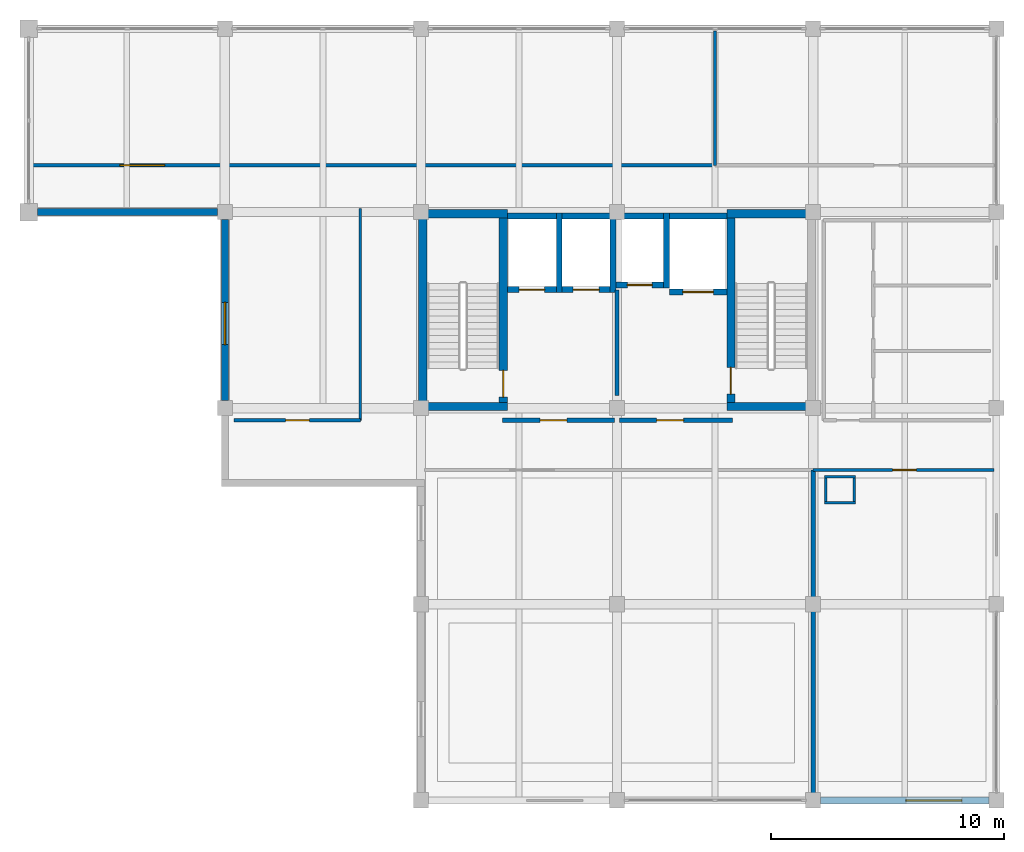
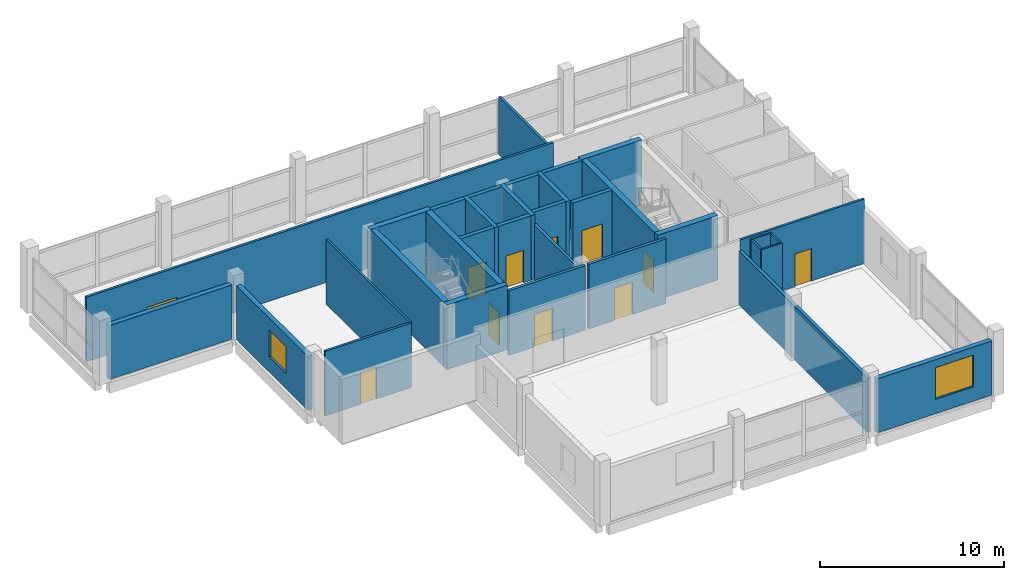
# One storey, part 7 of 9: 34 walls, 11 doors, 2 windows, 13 openings.
"""IFC4 building model written with IfcOpenShell, lengths in metres."""

from ifc_helpers import new_model, si_unit, direction, frame, frame_2d, origin, place, context, subcontext, project, spatial, rectangle, extrude, material, layer, layer_set, type_object, element, fill, save


model = new_model("IFC4")

# Units and contexts
model_context = context("Model", 3, precision=1e-05, world=origin(), true_north=direction((0.0, 1.0)))
body_context = subcontext(model_context, "Body", "Model", "MODEL_VIEW")
ifc_project = project(units=[si_unit("LENGTHUNIT", "METRE"), si_unit("AREAUNIT", "SQUARE_METRE"), si_unit("VOLUMEUNIT", "CUBIC_METRE"), si_unit("PLANEANGLEUNIT", "RADIAN"), si_unit("MASSUNIT", "GRAM", prefix="KILO")], contexts=[model_context])

# Site, building, storey
site_placement = place(None, origin())
site = spatial("IfcSite", under=ifc_project, at=site_placement, CompositionType="ELEMENT")
building_placement = place(site_placement, origin())
building = spatial("IfcBuilding", under=site, at=building_placement, Name="Brinegate Botanical Conservatory", CompositionType="ELEMENT")
storey_placement = place(building_placement, frame((0.0, 0.0, 61.199951171875)))
storey = spatial("IfcBuildingStorey", under=building, at=storey_placement, Name="L15", CompositionType="ELEMENT", Elevation=61.199951171875)

# Wall, opening, window
ifc_material_1 = material(Name="Insulated Minnan red clay brick masonry", Category="masonry")
ifc_layer_1 = layer(ifc_material_1, 0.300048828125, Name="Insulated Minnan red clay brick masonry", Category="masonry")
ifc_layer_set_1 = layer_set([ifc_layer_1], Name="Insulated Minnan red clay brick masonry")
wall_type_1 = type_object("IfcWallType", Name="Wall_EW-300B", PredefinedType="STANDARD", material=ifc_layer_set_1)
wall_1_placement = place(storey_placement, frame((163.125, 78.39990234375, 0.0), z_axis=(0.0, 0.0, 1.0), x_axis=(-1.0, 0.0, 0.0)))
wall_1 = element("IfcWall", 1, at=wall_1_placement, inside=storey, type_object=wall_type_1, Name="Tower south facade wall L15.3", PredefinedType="STANDARD", context=body_context, shape_type="SweptSolid", body=[
    extrude(rectangle(XDim=7.199951171875, YDim=0.300048828125, at=frame_2d((3.60009765625, 0.0))), origin(), (0.0, 0.0, 1.0), 3.580078125),
])
opening_1_placement = place(wall_1_placement, frame((1.14990234375, 0.0, 0.949951171875)))
opening_1 = element("IfcOpeningElement", 2, at=opening_1_placement, cuts=wall_1, Name="Opening WN-03", PredefinedType="OPENING", context=body_context, shape_type="SweptSolid", body=[
    extrude(rectangle(XDim=2.39990234375, YDim=2.10009765625, at=frame_2d((1.199951171875, 1.050048828125))), frame((0.0, 0.159912109375, 0.0), z_axis=(0.0, -1.0, 0.0), x_axis=(1.0, 0.0, 0.0)), (0.0, 0.0, 1.0), 0.320068359375),
])
ifc_material_2 = material(Name="Thermally broken aluminium-framed Low-E glass", Category="aluminium")
window_type_1 = type_object("IfcWindowType", Name="Win_WN-03", PartitioningType="TRIPLE_PANEL_VERTICAL", PredefinedType="WINDOW", material=ifc_material_2)
window_1_placement = place(opening_1_placement, origin())
window_1 = element("IfcWindow", 3, at=window_1_placement, inside=storey, type_object=window_type_1, Name="Tower south window L15.3", OverallHeight=2.10009765625, OverallWidth=2.39990234375, PartitioningType="TRIPLE_PANEL_VERTICAL", PredefinedType="WINDOW", context=body_context, shape_type="SweptSolid", body=[
    extrude(rectangle(XDim=2.39990234375, YDim=2.10009765625, at=frame_2d((1.199951171875, 1.050048828125))), frame((0.0, 0.030029296875, 0.0), z_axis=(0.0, -1.0, 0.0), x_axis=(1.0, 0.0, 0.0)), (0.0, 0.0, 1.0), 0.06005859375),
])
fill(opening_1, window_1)

wall_2_placement = place(storey_placement, frame((130.39990234375, 95.52490234375, 0.0), z_axis=(0.0, 0.0, 1.0), x_axis=(0.0, 1.0, 0.0)))
wall_2 = element("IfcWall", 4, at=wall_2_placement, inside=storey, type_object=wall_type_1, Name="Tower mid-west wall L15", PredefinedType="STANDARD", context=body_context, shape_type="SweptSolid", body=[
    extrude(rectangle(XDim=7.75, YDim=0.300048828125, at=frame_2d((3.875, 0.0))), origin(), (0.0, 0.0, 1.0), 3.580078125),
])
opening_2_placement = place(wall_2_placement, frame((2.39990234375, 0.0, 1.0)))
opening_2 = element("IfcOpeningElement", 5, at=opening_2_placement, cuts=wall_2, Name="Opening WN-05", PredefinedType="OPENING", context=body_context, shape_type="SweptSolid", body=[
    extrude(rectangle(XDim=1.800048828125, YDim=1.800048828125, at=frame_2d((0.89990234375, 0.89990234375))), frame((0.0, 0.159912109375, 0.0), z_axis=(0.0, -1.0, 0.0), x_axis=(1.0, 0.0, 0.0)), (0.0, 0.0, 1.0), 0.320068359375),
])
window_type_2 = type_object("IfcWindowType", Name="Win_WN-05", PartitioningType="DOUBLE_PANEL_VERTICAL", PredefinedType="WINDOW", material=ifc_material_2)
window_2_placement = place(opening_2_placement, origin())
window_2 = element("IfcWindow", 6, at=window_2_placement, inside=storey, type_object=window_type_2, Name="Tower mid-west window L15", OverallHeight=1.800048828125, OverallWidth=1.800048828125, PartitioningType="DOUBLE_PANEL_VERTICAL", PredefinedType="WINDOW", context=body_context, shape_type="SweptSolid", body=[
    extrude(rectangle(XDim=1.800048828125, YDim=1.800048828125, at=frame_2d((0.89990234375, 0.89990234375))), frame((0.0, 0.030029296875, 0.0), z_axis=(0.0, -1.0, 0.0), x_axis=(1.0, 0.0, 0.0)), (0.0, 0.0, 1.0), 0.06005859375),
])
fill(opening_2, window_2)

# Walls
wall_3_placement = place(storey_placement, frame((130.074951171875, 103.60009765625, 0.0), z_axis=(0.0, 0.0, 1.0), x_axis=(-1.0, 0.0, 0.0)))
element("IfcWall", 7, at=wall_3_placement, inside=storey, type_object=wall_type_1, Name="Tower west setback return wall L15", PredefinedType="STANDARD", context=body_context, shape_type="SweptSolid", body=[
    extrude(rectangle(XDim=7.699951171875, YDim=0.300048828125, at=frame_2d((3.85009765625, 0.0))), origin(), (0.0, 0.0, 1.0), 3.580078125),
])
ifc_material_3 = material(Name="Gypsum-clad steel-stud fire-rated shaft partition", Category="steel")
ifc_layer_2 = layer(ifc_material_3, 0.10498046875, Name="Gypsum-clad steel-stud fire-rated shaft partition", Category="steel")
ifc_layer_set_2 = layer_set([ifc_layer_2], Name="Gypsum-clad steel-stud fire-rated shaft partition")
wall_type_2 = type_object("IfcWallType", Name="Wall_PW-105", PredefinedType="PARTITIONING", material=ifc_layer_set_2)
for number, where, z_axis, x_axis, name in (
    (8, (156.094970703125, 91.1474609375, 0.0), (0.0, 0.0, 1.0), (1.0, 0.0, 0.0), "Service riser shaft wall L15 S"),
    (9, (156.094970703125, 92.25244140625, 0.0), (0.0, 0.0, 1.0), (1.0, 0.0, 0.0), "Service riser shaft wall L15 N"),
):
    element("IfcWall", number, at=place(storey_placement, frame(where, z_axis=z_axis, x_axis=x_axis)), inside=storey, type_object=wall_type_2, Name=name, PredefinedType="PARTITIONING", context=body_context, shape_type="SweptSolid", body=[
        extrude(rectangle(XDim=1.31005859375, YDim=0.10498046875, at=frame_2d((0.655029296875, 0.0))), origin(), (0.0, 0.0, 1.0), 4.280029296875),
    ])
for number, where, z_axis, x_axis, name in (
    (10, (156.1474609375, 91.199951171875, 0.0), (0.0, 0.0, 1.0), (0.0, 1.0, 0.0), "Service riser shaft wall L15 W"),
    (11, (157.3525390625, 91.199951171875, 0.0), (0.0, 0.0, 1.0), (0.0, 1.0, 0.0), "Service riser shaft wall L15 E"),
):
    element("IfcWall", number, at=place(storey_placement, frame(where, z_axis=z_axis, x_axis=x_axis)), inside=storey, type_object=wall_type_2, Name=name, PredefinedType="PARTITIONING", context=body_context, shape_type="SweptSolid", body=[
        extrude(rectangle(XDim=1.0, YDim=0.10498046875, at=frame_2d((0.5, 0.0))), origin(), (0.0, 0.0, 1.0), 4.280029296875),
    ])
ifc_material_4 = material(Name="Gypsum-clad steel-stud partition", Category="steel")
ifc_layer_3 = layer(ifc_material_4, 0.1201171875, Name="Gypsum-clad steel-stud partition", Category="steel")
ifc_layer_set_3 = layer_set([ifc_layer_3], Name="Gypsum-clad steel-stud partition")
wall_type_3 = type_object("IfcWallType", Name="Wall_PW-120", PredefinedType="PARTITIONING", material=ifc_layer_set_3)
wall_4_placement = place(storey_placement, frame((136.199951171875, 94.679931640625, 0.0), z_axis=(0.0, 0.0, 1.0), x_axis=(0.0, 1.0, 0.0)))
element("IfcWall", 12, at=wall_4_placement, inside=storey, type_object=wall_type_3, Name="Interior partition P-L15-XCORR-W", PredefinedType="PARTITIONING", context=body_context, shape_type="SweptSolid", body=[
    extrude(rectangle(XDim=9.070068359375, YDim=0.1201171875, at=frame_2d((4.53515625, 0.0))), origin(), (0.0, 0.0, 1.0), 4.280029296875),
])
ifc_layer_4 = layer(ifc_material_4, 0.135009765625, Name="Gypsum-clad steel-stud partition", Category="steel")
ifc_layer_set_4 = layer_set([ifc_layer_4], Name="Gypsum-clad steel-stud partition")
wall_type_4 = type_object("IfcWallType", Name="Wall_PW-135", PredefinedType="PARTITIONING", material=ifc_layer_set_4)
wall_5_placement = place(storey_placement, frame((151.39990234375, 105.60009765625, 0.0), z_axis=(0.0, 0.0, 1.0), x_axis=(0.0, 1.0, 0.0)))
element("IfcWall", 13, at=wall_5_placement, inside=storey, type_object=wall_type_4, Name="Interior partition P-L15-NDIV-N2", PredefinedType="PARTITIONING", context=body_context, shape_type="SweptSolid", body=[
    extrude(rectangle(XDim=5.75, YDim=0.135009765625, at=frame_2d((2.875, 0.0))), origin(), (0.0, 0.0, 1.0), 3.830078125),
])

# Wall, opening, door
wall_6_placement = place(storey_placement, frame((155.60009765625, 92.550048828125, 0.0), z_axis=(0.0, 0.0, 1.0), x_axis=(1.0, 0.0, 0.0)))
wall_6 = element("IfcWall", 14, at=wall_6_placement, inside=storey, type_object=wall_type_4, Name="Interior partition P-L15-SB-S2", PredefinedType="PARTITIONING", context=body_context, shape_type="SweptSolid", body=[
    extrude(rectangle(XDim=7.75, YDim=0.135009765625, at=frame_2d((3.875, 0.0))), origin(), (0.0, 0.0, 1.0), 4.280029296875),
])
opening_3_placement = place(wall_6_placement, frame((3.39990234375, 0.0, 0.0)))
opening_3 = element("IfcOpeningElement", 15, at=opening_3_placement, cuts=wall_6, Name="Opening DR-02", PredefinedType="OPENING", context=body_context, shape_type="SweptSolid", body=[
    extrude(rectangle(XDim=1.02001953125, YDim=2.14990234375, at=frame_2d((0.510009765625, 1.074951171875))), frame((0.0, 0.077392578125, 0.0), z_axis=(0.0, -1.0, 0.0), x_axis=(1.0, 0.0, 0.0)), (0.0, 0.0, 1.0), 0.155029296875),
])
ifc_material_5 = material(Name="Phenolic-faced laboratory timber leaf", Category="wood")
door_type_1 = type_object("IfcDoorType", Name="Door_DR-02", OperationType="NOTDEFINED", PredefinedType="DOOR", material=ifc_material_5)
door_1_placement = place(opening_3_placement, origin())
door_1 = element("IfcDoor", 16, at=door_1_placement, inside=storey, type_object=door_type_1, Name="DR-P-L15-SB-S2-1", OperationType="SINGLE_SWING_LEFT", OverallHeight=2.14990234375, OverallWidth=1.02001953125, PredefinedType="DOOR", context=body_context, shape_type="SweptSolid", body=[
    extrude(rectangle(XDim=1.02001953125, YDim=2.14990234375, at=frame_2d((0.510009765625, 1.074951171875))), frame((0.0, 0.02490234375, 0.0), z_axis=(0.0, -1.0, 0.0), x_axis=(1.0, 0.0, 0.0)), (0.0, 0.0, 1.0), 0.050048828125),
])
fill(opening_3, door_1)

ifc_material_6 = material(Name="Gypsum-clad acoustic steel-stud partition", Category="steel")
ifc_layer_5 = layer(ifc_material_6, 0.14501953125, Name="Gypsum-clad acoustic steel-stud partition", Category="steel")
ifc_layer_set_5 = layer_set([ifc_layer_5], Name="Gypsum-clad acoustic steel-stud partition")
wall_type_5 = type_object("IfcWallType", Name="Wall_PW-150", PredefinedType="PARTITIONING", material=ifc_layer_set_5)
wall_7_placement = place(storey_placement, frame((130.800048828125, 94.679931640625, 0.0), z_axis=(0.0, 0.0, 1.0), x_axis=(1.0, 0.0, 0.0)))
wall_7 = element("IfcWall", 17, at=wall_7_placement, inside=storey, type_object=wall_type_5, Name="Interior partition P-L15-MIDW-S", PredefinedType="PARTITIONING", context=body_context, shape_type="SweptSolid", body=[
    extrude(rectangle(XDim=5.39990234375, YDim=0.14501953125, at=frame_2d((2.699951171875, 0.0))), origin(), (0.0, 0.0, 1.0), 4.280029296875),
])
opening_4_placement = place(wall_7_placement, frame((2.199951171875, 0.0, 0.0)))
opening_4 = element("IfcOpeningElement", 18, at=opening_4_placement, cuts=wall_7, Name="Opening DR-02", PredefinedType="OPENING", context=body_context, shape_type="SweptSolid", body=[
    extrude(rectangle(XDim=1.02001953125, YDim=2.14990234375, at=frame_2d((0.510009765625, 1.074951171875))), frame((0.0, 0.08251953125, 0.0), z_axis=(0.0, -1.0, 0.0), x_axis=(1.0, 0.0, 0.0)), (0.0, 0.0, 1.0), 0.1650390625),
])
door_2_placement = place(opening_4_placement, origin())
door_2 = element("IfcDoor", 19, at=door_2_placement, inside=storey, type_object=door_type_1, Name="DR-P-L15-MIDW-S-1", OperationType="SINGLE_SWING_RIGHT", OverallHeight=2.14990234375, OverallWidth=1.02001953125, PredefinedType="DOOR", context=body_context, shape_type="SweptSolid", body=[
    extrude(rectangle(XDim=1.02001953125, YDim=2.14990234375, at=frame_2d((0.510009765625, 1.074951171875))), frame((0.0, 0.02490234375, 0.0), z_axis=(0.0, -1.0, 0.0), x_axis=(1.0, 0.0, 0.0)), (0.0, 0.0, 1.0), 0.050048828125),
])
fill(opening_4, door_2)

wall_8_placement = place(storey_placement, frame((122.14990234375, 105.60009765625, 0.0), z_axis=(0.0, 0.0, 1.0), x_axis=(1.0, 0.0, 0.0)))
wall_8 = element("IfcWall", 20, at=wall_8_placement, inside=storey, type_object=wall_type_5, Name="Interior partition P-L15-NB-N1", PredefinedType="PARTITIONING", context=body_context, shape_type="SweptSolid", body=[
    extrude(rectangle(XDim=29.25, YDim=0.14501953125, at=frame_2d((14.625, 0.0))), origin(), (0.0, 0.0, 1.0), 4.280029296875),
])
opening_5_placement = place(wall_8_placement, frame((3.75, 0.0, 0.0)))
opening_5 = element("IfcOpeningElement", 21, at=opening_5_placement, cuts=wall_8, Name="Opening DR-13", PredefinedType="OPENING", context=body_context, shape_type="SweptSolid", body=[
    extrude(rectangle(XDim=1.919921875, YDim=2.280029296875, at=frame_2d((0.9599609375, 1.14013671875))), frame((0.0, 0.08251953125, 0.0), z_axis=(0.0, -1.0, 0.0), x_axis=(1.0, 0.0, 0.0)), (0.0, 0.0, 1.0), 0.1650390625),
])
ifc_material_7 = material(Name="Glazed aluminium exhibition double door", Category="aluminium")
door_type_2 = type_object("IfcDoorType", Name="Door_DR-13", OperationType="NOTDEFINED", PredefinedType="DOOR", material=ifc_material_7)
door_3_placement = place(opening_5_placement, origin())
door_3 = element("IfcDoor", 22, at=door_3_placement, inside=storey, type_object=door_type_2, Name="DR-P-L15-NB-N1-1", OperationType="SINGLE_SWING_LEFT", OverallHeight=2.280029296875, OverallWidth=1.919921875, PredefinedType="DOOR", context=body_context, shape_type="SweptSolid", body=[
    extrude(rectangle(XDim=1.919921875, YDim=2.280029296875, at=frame_2d((0.9599609375, 1.14013671875))), frame((0.0, 0.02490234375, 0.0), z_axis=(0.0, -1.0, 0.0), x_axis=(1.0, 0.0, 0.0)), (0.0, 0.0, 1.0), 0.050048828125),
])
fill(opening_5, door_3)

ifc_material_8 = material(Name="Autoclaved aerated concrete C40/50 blockwork", Category="masonry")
ifc_layer_6 = layer(ifc_material_8, 0.179931640625, Name="Autoclaved aerated concrete C40/50 blockwork", Category="masonry")
ifc_layer_set_6 = layer_set([ifc_layer_6], Name="Autoclaved aerated concrete C40/50 blockwork")
wall_type_6 = type_object("IfcWallType", Name="Wall_PW-180F", PredefinedType="STANDARD", material=ifc_layer_set_6)
wall_9_placement = place(storey_placement, frame((142.300048828125, 94.679931640625, 0.0), z_axis=(0.0, 0.0, 1.0), x_axis=(1.0, 0.0, 0.0)))
wall_9 = element("IfcWall", 23, at=wall_9_placement, inside=storey, type_object=wall_type_6, Name="Interior partition P-L15-CORE-FF", PredefinedType="STANDARD", context=body_context, shape_type="SweptSolid", body=[
    extrude(rectangle(XDim=4.800048828125, YDim=0.179931640625, at=frame_2d((2.39990234375, 0.0))), origin(), (0.0, 0.0, 1.0), 4.280029296875),
])
opening_6_placement = place(wall_9_placement, frame((1.60009765625, 0.0, 0.0)))
opening_6 = element("IfcOpeningElement", 24, at=opening_6_placement, cuts=wall_9, Name="Opening FD-B1", PredefinedType="OPENING", context=body_context, shape_type="SweptSolid", body=[
    extrude(rectangle(XDim=1.14990234375, YDim=2.14990234375, at=frame_2d((0.574951171875, 1.074951171875))), frame((0.0, 0.099853515625, 0.0), z_axis=(0.0, -1.0, 0.0), x_axis=(1.0, 0.0, 0.0)), (0.0, 0.0, 1.0), 0.199951171875),
])
ifc_material_9 = material(Name="Steel smoke-proof fire door assembly", Category="steel")
door_type_3 = type_object("IfcDoorType", Name="Door_FD-B1", OperationType="NOTDEFINED", PredefinedType="DOOR", material=ifc_material_9)
door_4_placement = place(opening_6_placement, origin())
door_4 = element("IfcDoor", 25, at=door_4_placement, inside=storey, type_object=door_type_3, Name="DR-P-L15-CORE-FF-1", OperationType="SINGLE_SWING_LEFT", OverallHeight=2.14990234375, OverallWidth=1.14990234375, PredefinedType="DOOR", context=body_context, shape_type="SweptSolid", body=[
    extrude(rectangle(XDim=1.14990234375, YDim=2.14990234375, at=frame_2d((0.574951171875, 1.074951171875))), frame((0.0, 0.02490234375, 0.0), z_axis=(0.0, -1.0, 0.0), x_axis=(1.0, 0.0, 0.0)), (0.0, 0.0, 1.0), 0.050048828125),
])
fill(opening_6, door_4)

wall_10_placement = place(storey_placement, frame((147.300048828125, 94.679931640625, 0.0), z_axis=(0.0, 0.0, 1.0), x_axis=(1.0, 0.0, 0.0)))
wall_10 = element("IfcWall", 26, at=wall_10_placement, inside=storey, type_object=wall_type_6, Name="Interior partition P-L15-CORE-PAX", PredefinedType="STANDARD", context=body_context, shape_type="SweptSolid", body=[
    extrude(rectangle(XDim=4.849853515625, YDim=0.179931640625, at=frame_2d((2.4248046875, 0.0))), origin(), (0.0, 0.0, 1.0), 4.280029296875),
])
opening_7_placement = place(wall_10_placement, frame((1.60009765625, 0.0, 0.0)))
opening_7 = element("IfcOpeningElement", 27, at=opening_7_placement, cuts=wall_10, Name="Opening FD-B1", PredefinedType="OPENING", context=body_context, shape_type="SweptSolid", body=[
    extrude(rectangle(XDim=1.14990234375, YDim=2.14990234375, at=frame_2d((0.574951171875, 1.074951171875))), frame((0.0, 0.099853515625, 0.0), z_axis=(0.0, -1.0, 0.0), x_axis=(1.0, 0.0, 0.0)), (0.0, 0.0, 1.0), 0.199951171875),
])
door_5_placement = place(opening_7_placement, origin())
door_5 = element("IfcDoor", 28, at=door_5_placement, inside=storey, type_object=door_type_3, Name="DR-P-L15-CORE-PAX-1", OperationType="SINGLE_SWING_RIGHT", OverallHeight=2.14990234375, OverallWidth=1.14990234375, PredefinedType="DOOR", context=body_context, shape_type="SweptSolid", body=[
    extrude(rectangle(XDim=1.14990234375, YDim=2.14990234375, at=frame_2d((0.574951171875, 1.074951171875))), frame((0.0, 0.02490234375, 0.0), z_axis=(0.0, -1.0, 0.0), x_axis=(1.0, 0.0, 0.0)), (0.0, 0.0, 1.0), 0.050048828125),
])
fill(opening_7, door_5)

# Walls
wall_11_placement = place(storey_placement, frame((147.199951171875, 95.75, 0.0), z_axis=(0.0, 0.0, 1.0), x_axis=(0.0, 1.0, 0.0)))
element("IfcWall", 29, at=wall_11_placement, inside=storey, type_object=wall_type_6, Name="Interior partition P-L15-CORE-DIV", PredefinedType="STANDARD", context=body_context, shape_type="SweptSolid", body=[
    extrude(rectangle(XDim=4.5, YDim=0.179931640625, at=frame_2d((2.25, 0.0))), origin(), (0.0, 0.0, 1.0), 3.580078125),
])
ifc_layer_7 = layer(ifc_material_8, 0.199951171875, Name="Autoclaved aerated concrete C40/50 blockwork", Category="masonry")
ifc_layer_set_7 = layer_set([ifc_layer_7], Name="Autoclaved aerated concrete C40/50 blockwork")
wall_type_7 = type_object("IfcWallType", Name="Wall_PW-200F", PredefinedType="SOLIDWALL", material=ifc_layer_set_7)
wall_12_placement = place(storey_placement, frame((155.60009765625, 78.550048828125, 0.0), z_axis=(0.0, 0.0, 1.0), x_axis=(0.0, 1.0, 0.0)))
element("IfcWall", 30, at=wall_12_placement, inside=storey, type_object=wall_type_7, Name="Interior partition P-L15-SDIV-S2", PredefinedType="SOLIDWALL", context=body_context, shape_type="SweptSolid", body=[
    extrude(rectangle(XDim=14.0, YDim=0.199951171875, at=frame_2d((7.0, 0.0))), origin(), (0.0, 0.0, 1.0), 3.580078125),
])

# Wall, opening, door
ifc_material_10 = material(Name="Concrete C40/50", Category="concrete")
ifc_layer_8 = layer(ifc_material_10, 0.25, Name="Concrete C40/50", Category="concrete")
ifc_layer_set_8 = layer_set([ifc_layer_8], Name="Concrete C40/50")
wall_type_8 = type_object("IfcWallType", Name="Wall_SW-250", PredefinedType="SHEAR", material=ifc_layer_set_8)
wall_13_placement = place(storey_placement, frame((142.5, 100.27490234375, 0.0), z_axis=(0.0, 0.0, 1.0), x_axis=(1.0, 0.0, 0.0)))
wall_13 = element("IfcWall", 31, at=wall_13_placement, inside=storey, type_object=wall_type_8, Name="Lift shaft LF1 shear wall L15 S", PredefinedType="SHEAR", context=body_context, shape_type="SweptSolid", body=[
    extrude(rectangle(XDim=2.10009765625, YDim=0.25, at=frame_2d((1.050048828125, 0.0))), origin(), (0.0, 0.0, 1.0), 4.280029296875),
])
opening_8_placement = place(wall_13_placement, frame((0.5, 0.0, 0.0)))
opening_8 = element("IfcOpeningElement", 32, at=opening_8_placement, cuts=wall_13, Name="Opening LD-01", PredefinedType="OPENING", context=body_context, shape_type="SweptSolid", body=[
    extrude(rectangle(XDim=1.10009765625, YDim=2.14990234375, at=frame_2d((0.550048828125, 1.074951171875))), frame((0.0, 0.135009765625, 0.0), z_axis=(0.0, -1.0, 0.0), x_axis=(1.0, 0.0, 0.0)), (0.0, 0.0, 1.0), 0.27001953125),
])
ifc_material_11 = material(Name="Brushed stainless steel S355 landing door", Category="steel")
door_type_4 = type_object("IfcDoorType", Name="Door_LD-01", OperationType="SLIDING_TO_LEFT", PredefinedType="DOOR", material=ifc_material_11)
door_6_placement = place(opening_8_placement, origin())
door_6 = element("IfcDoor", 33, at=door_6_placement, inside=storey, type_object=door_type_4, Name="LD-LF1-L15", OperationType="SLIDING_TO_LEFT", OverallHeight=2.14990234375, OverallWidth=1.10009765625, PredefinedType="DOOR", context=body_context, shape_type="SweptSolid", body=[
    extrude(rectangle(XDim=1.10009765625, YDim=2.14990234375, at=frame_2d((0.550048828125, 1.074951171875))), frame((0.0, 0.02490234375, 0.0), z_axis=(0.0, -1.0, 0.0), x_axis=(1.0, 0.0, 0.0)), (0.0, 0.0, 1.0), 0.050048828125),
])
fill(opening_8, door_6)

# Walls
wall_14_placement = place(storey_placement, frame((142.5, 103.425048828125, 0.0), z_axis=(0.0, 0.0, 1.0), x_axis=(1.0, 0.0, 0.0)))
element("IfcWall", 34, at=wall_14_placement, inside=storey, type_object=wall_type_8, Name="Lift shaft LF1 shear wall L15 N", PredefinedType="SHEAR", context=body_context, shape_type="SweptSolid", body=[
    extrude(rectangle(XDim=2.10009765625, YDim=0.25, at=frame_2d((1.050048828125, 0.0))), origin(), (0.0, 0.0, 1.0), 4.280029296875),
])
wall_15_placement = place(storey_placement, frame((144.72509765625, 100.14990234375, 0.0), z_axis=(0.0, 0.0, 1.0), x_axis=(0.0, 1.0, 0.0)))
element("IfcWall", 35, at=wall_15_placement, inside=storey, type_object=wall_type_8, Name="Lift shaft LF1 shear wall L15 E", PredefinedType="SHEAR", context=body_context, shape_type="SweptSolid", body=[
    extrude(rectangle(XDim=3.400146484375, YDim=0.25, at=frame_2d((1.7001953125, 0.0))), origin(), (0.0, 0.0, 1.0), 4.280029296875),
])

# Wall, opening, door
wall_16_placement = place(storey_placement, frame((144.85009765625, 100.27490234375, 0.0), z_axis=(0.0, 0.0, 1.0), x_axis=(1.0, 0.0, 0.0)))
wall_16 = element("IfcWall", 36, at=wall_16_placement, inside=storey, type_object=wall_type_8, Name="Lift shaft LF2 shear wall L15 S", PredefinedType="SHEAR", context=body_context, shape_type="SweptSolid", body=[
    extrude(rectangle(XDim=2.0498046875, YDim=0.25, at=frame_2d((1.02490234375, 0.0))), origin(), (0.0, 0.0, 1.0), 4.280029296875),
])
opening_9_placement = place(wall_16_placement, frame((0.465087890625, 0.0, 0.0)))
opening_9 = element("IfcOpeningElement", 37, at=opening_9_placement, cuts=wall_16, Name="Opening LD-02", PredefinedType="OPENING", context=body_context, shape_type="SweptSolid", body=[
    extrude(rectangle(XDim=1.1201171875, YDim=2.14990234375, at=frame_2d((0.56005859375, 1.074951171875))), frame((0.0, 0.135009765625, 0.0), z_axis=(0.0, -1.0, 0.0), x_axis=(1.0, 0.0, 0.0)), (0.0, 0.0, 1.0), 0.27001953125),
])
door_type_5 = type_object("IfcDoorType", Name="Door_LD-02", OperationType="SLIDING_TO_LEFT", PredefinedType="DOOR", material=ifc_material_11)
door_7_placement = place(opening_9_placement, origin())
door_7 = element("IfcDoor", 38, at=door_7_placement, inside=storey, type_object=door_type_5, Name="LD-LF2-L15", OperationType="SLIDING_TO_LEFT", OverallHeight=2.14990234375, OverallWidth=1.1201171875, PredefinedType="DOOR", context=body_context, shape_type="SweptSolid", body=[
    extrude(rectangle(XDim=1.1201171875, YDim=2.14990234375, at=frame_2d((0.56005859375, 1.074951171875))), frame((0.0, 0.02490234375, 0.0), z_axis=(0.0, -1.0, 0.0), x_axis=(1.0, 0.0, 0.0)), (0.0, 0.0, 1.0), 0.050048828125),
])
fill(opening_9, door_7)

# Walls
wall_17_placement = place(storey_placement, frame((144.85009765625, 103.425048828125, 0.0), z_axis=(0.0, 0.0, 1.0), x_axis=(1.0, 0.0, 0.0)))
element("IfcWall", 39, at=wall_17_placement, inside=storey, type_object=wall_type_8, Name="Lift shaft LF2 shear wall L15 N", PredefinedType="SHEAR", context=body_context, shape_type="SweptSolid", body=[
    extrude(rectangle(XDim=2.0498046875, YDim=0.25, at=frame_2d((1.02490234375, 0.0))), origin(), (0.0, 0.0, 1.0), 4.280029296875),
])
wall_18_placement = place(storey_placement, frame((147.02490234375, 100.14990234375, 0.0), z_axis=(0.0, 0.0, 1.0), x_axis=(0.0, 1.0, 0.0)))
element("IfcWall", 40, at=wall_18_placement, inside=storey, type_object=wall_type_8, Name="Lift shaft LF2 shear wall L15 E", PredefinedType="SHEAR", context=body_context, shape_type="SweptSolid", body=[
    extrude(rectangle(XDim=3.400146484375, YDim=0.25, at=frame_2d((1.7001953125, 0.0))), origin(), (0.0, 0.0, 1.0), 4.280029296875),
])

# Wall, opening, door
wall_19_placement = place(storey_placement, frame((147.14990234375, 100.47509765625, 0.0), z_axis=(0.0, 0.0, 1.0), x_axis=(1.0, 0.0, 0.0)))
wall_19 = element("IfcWall", 41, at=wall_19_placement, inside=storey, type_object=wall_type_8, Name="Lift shaft LF3 shear wall L15 S", PredefinedType="SHEAR", context=body_context, shape_type="SweptSolid", body=[
    extrude(rectangle(XDim=2.050048828125, YDim=0.25, at=frame_2d((1.02490234375, 0.0))), origin(), (0.0, 0.0, 1.0), 4.280029296875),
])
opening_10_placement = place(wall_19_placement, frame((0.4951171875, 0.0, 0.0)))
opening_10 = element("IfcOpeningElement", 42, at=opening_10_placement, cuts=wall_19, Name="Opening LD-03", PredefinedType="OPENING", context=body_context, shape_type="SweptSolid", body=[
    extrude(rectangle(XDim=1.06005859375, YDim=2.14990234375, at=frame_2d((0.530029296875, 1.074951171875))), frame((0.0, 0.135009765625, 0.0), z_axis=(0.0, -1.0, 0.0), x_axis=(1.0, 0.0, 0.0)), (0.0, 0.0, 1.0), 0.27001953125),
])
door_type_6 = type_object("IfcDoorType", Name="Door_LD-03", OperationType="SLIDING_TO_LEFT", PredefinedType="DOOR", material=ifc_material_11)
door_8_placement = place(opening_10_placement, origin())
door_8 = element("IfcDoor", 43, at=door_8_placement, inside=storey, type_object=door_type_6, Name="LD-LF3-L15", OperationType="SLIDING_TO_LEFT", OverallHeight=2.14990234375, OverallWidth=1.06005859375, PredefinedType="DOOR", context=body_context, shape_type="SweptSolid", body=[
    extrude(rectangle(XDim=1.06005859375, YDim=2.14990234375, at=frame_2d((0.530029296875, 1.074951171875))), frame((0.0, 0.02490234375, 0.0), z_axis=(0.0, -1.0, 0.0), x_axis=(1.0, 0.0, 0.0)), (0.0, 0.0, 1.0), 0.050048828125),
])
fill(opening_10, door_8)

# Walls
wall_20_placement = place(storey_placement, frame((147.14990234375, 103.425048828125, 0.0), z_axis=(0.0, 0.0, 1.0), x_axis=(1.0, 0.0, 0.0)))
element("IfcWall", 44, at=wall_20_placement, inside=storey, type_object=wall_type_8, Name="Lift shaft LF3 shear wall L15 N", PredefinedType="SHEAR", context=body_context, shape_type="SweptSolid", body=[
    extrude(rectangle(XDim=2.050048828125, YDim=0.25, at=frame_2d((1.02490234375, 0.0))), origin(), (0.0, 0.0, 1.0), 4.280029296875),
])
wall_21_placement = place(storey_placement, frame((149.324951171875, 100.35009765625, 0.0), z_axis=(0.0, 0.0, 1.0), x_axis=(0.0, 1.0, 0.0)))
element("IfcWall", 45, at=wall_21_placement, inside=storey, type_object=wall_type_8, Name="Lift shaft LF3 shear wall L15 E", PredefinedType="SHEAR", context=body_context, shape_type="SweptSolid", body=[
    extrude(rectangle(XDim=3.199951171875, YDim=0.25, at=frame_2d((1.60009765625, 0.0))), origin(), (0.0, 0.0, 1.0), 4.280029296875),
])

# Wall, opening, door
wall_22_placement = place(storey_placement, frame((149.449951171875, 100.175048828125, 0.0), z_axis=(0.0, 0.0, 1.0), x_axis=(1.0, 0.0, 0.0)))
wall_22 = element("IfcWall", 46, at=wall_22_placement, inside=storey, type_object=wall_type_8, Name="Lift shaft LF4 shear wall L15 S", PredefinedType="SHEAR", context=body_context, shape_type="SweptSolid", body=[
    extrude(rectangle(XDim=2.449951171875, YDim=0.25, at=frame_2d((1.22509765625, 0.0))), origin(), (0.0, 0.0, 1.0), 4.280029296875),
])
opening_11_placement = place(wall_22_placement, frame((0.574951171875, 0.0, 0.0)))
opening_11 = element("IfcOpeningElement", 47, at=opening_11_placement, cuts=wall_22, Name="Opening LD-04", PredefinedType="OPENING", context=body_context, shape_type="SweptSolid", body=[
    extrude(rectangle(XDim=1.300048828125, YDim=2.25, at=frame_2d((0.64990234375, 1.125))), frame((0.0, 0.135009765625, 0.0), z_axis=(0.0, -1.0, 0.0), x_axis=(1.0, 0.0, 0.0)), (0.0, 0.0, 1.0), 0.27001953125),
])
door_type_7 = type_object("IfcDoorType", Name="Door_LD-04", OperationType="SLIDING_TO_LEFT", PredefinedType="DOOR", material=ifc_material_11)
door_9_placement = place(opening_11_placement, origin())
door_9 = element("IfcDoor", 48, at=door_9_placement, inside=storey, type_object=door_type_7, Name="LD-LF4-L15", OperationType="SLIDING_TO_LEFT", OverallHeight=2.25, OverallWidth=1.300048828125, PredefinedType="DOOR", context=body_context, shape_type="SweptSolid", body=[
    extrude(rectangle(XDim=1.300048828125, YDim=2.25, at=frame_2d((0.64990234375, 1.125))), frame((0.0, 0.02490234375, 0.0), z_axis=(0.0, -1.0, 0.0), x_axis=(1.0, 0.0, 0.0)), (0.0, 0.0, 1.0), 0.050048828125),
])
fill(opening_11, door_9)

# Walls
wall_23_placement = place(storey_placement, frame((149.449951171875, 103.425048828125, 0.0), z_axis=(0.0, 0.0, 1.0), x_axis=(1.0, 0.0, 0.0)))
element("IfcWall", 49, at=wall_23_placement, inside=storey, type_object=wall_type_8, Name="Lift shaft LF4 shear wall L15 N", PredefinedType="SHEAR", context=body_context, shape_type="SweptSolid", body=[
    extrude(rectangle(XDim=2.449951171875, YDim=0.25, at=frame_2d((1.22509765625, 0.0))), origin(), (0.0, 0.0, 1.0), 4.280029296875),
])
ifc_layer_9 = layer(ifc_material_10, 0.35009765625, Name="Concrete C40/50", Category="concrete")
ifc_layer_set_9 = layer_set([ifc_layer_9], Name="Concrete C40/50")
wall_type_9 = type_object("IfcWallType", Name="Wall_SW-350", PredefinedType="SHEAR", material=ifc_layer_set_9)
for number, where, z_axis, x_axis, name in (
    (50, (138.699951171875, 95.27490234375, 0.0), (0.0, 0.0, 1.0), (1.0, 0.0, 0.0), "Stairwell ST1 shear wall L15 S"),
    (51, (138.699951171875, 103.52490234375, 0.0), (0.0, 0.0, 1.0), (1.0, 0.0, 0.0), "Stairwell ST1 shear wall L15 N"),
):
    element("IfcWall", number, at=place(storey_placement, frame(where, z_axis=z_axis, x_axis=x_axis)), inside=storey, type_object=wall_type_9, Name=name, PredefinedType="SHEAR", context=body_context, shape_type="SweptSolid", body=[
        extrude(rectangle(XDim=3.800048828125, YDim=0.35009765625, at=frame_2d((1.89990234375, 0.0))), origin(), (0.0, 0.0, 1.0), 4.280029296875),
    ])
wall_24_placement = place(storey_placement, frame((138.875, 95.449951171875, 0.0), z_axis=(0.0, 0.0, 1.0), x_axis=(0.0, 1.0, 0.0)))
element("IfcWall", 52, at=wall_24_placement, inside=storey, type_object=wall_type_9, Name="Stairwell ST1 shear wall L15 W", PredefinedType="SHEAR", context=body_context, shape_type="SweptSolid", body=[
    extrude(rectangle(XDim=7.900146484375, YDim=0.35009765625, at=frame_2d((3.9501953125, 0.0))), origin(), (0.0, 0.0, 1.0), 4.280029296875),
])

# Wall, opening, door
wall_25_placement = place(storey_placement, frame((142.324951171875, 95.449951171875, 0.0), z_axis=(0.0, 0.0, 1.0), x_axis=(0.0, 1.0, 0.0)))
wall_25 = element("IfcWall", 53, at=wall_25_placement, inside=storey, type_object=wall_type_9, Name="Stairwell ST1 shear wall L15 E", PredefinedType="SHEAR", context=body_context, shape_type="SweptSolid", body=[
    extrude(rectangle(XDim=7.900146484375, YDim=0.35009765625, at=frame_2d((3.9501953125, 0.0))), origin(), (0.0, 0.0, 1.0), 4.280029296875),
])
opening_12_placement = place(wall_25_placement, frame((0.219970703125, 0.0, 0.0)))
opening_12 = element("IfcOpeningElement", 54, at=opening_12_placement, cuts=wall_25, Name="Opening FD-B1", PredefinedType="OPENING", context=body_context, shape_type="SweptSolid", body=[
    extrude(rectangle(XDim=1.14990234375, YDim=2.14990234375, at=frame_2d((0.574951171875, 1.074951171875))), frame((0.0, 0.18505859375, 0.0), z_axis=(0.0, -1.0, 0.0), x_axis=(1.0, 0.0, 0.0)), (0.0, 0.0, 1.0), 0.3701171875),
])
door_10_placement = place(opening_12_placement, origin())
door_10 = element("IfcDoor", 55, at=door_10_placement, inside=storey, type_object=door_type_3, Name="DR-ST-ST1-L15", OperationType="SINGLE_SWING_LEFT", OverallHeight=2.14990234375, OverallWidth=1.14990234375, PredefinedType="DOOR", context=body_context, shape_type="SweptSolid", body=[
    extrude(rectangle(XDim=1.14990234375, YDim=2.14990234375, at=frame_2d((0.574951171875, 1.074951171875))), frame((0.0, 0.02490234375, 0.0), z_axis=(0.0, -1.0, 0.0), x_axis=(1.0, 0.0, 0.0)), (0.0, 0.0, 1.0), 0.050048828125),
])
fill(opening_12, door_10)

# Walls
for number, where, z_axis, x_axis, name in (
    (56, (151.89990234375, 95.27490234375, 0.0), (0.0, 0.0, 1.0), (1.0, 0.0, 0.0), "Stairwell ST2 shear wall L15 S"),
    (57, (151.89990234375, 103.52490234375, 0.0), (0.0, 0.0, 1.0), (1.0, 0.0, 0.0), "Stairwell ST2 shear wall L15 N"),
):
    element("IfcWall", number, at=place(storey_placement, frame(where, z_axis=z_axis, x_axis=x_axis)), inside=storey, type_object=wall_type_9, Name=name, PredefinedType="SHEAR", context=body_context, shape_type="SweptSolid", body=[
        extrude(rectangle(XDim=3.800048828125, YDim=0.35009765625, at=frame_2d((1.89990234375, 0.0))), origin(), (0.0, 0.0, 1.0), 4.280029296875),
    ])

# Wall, opening, door
wall_26_placement = place(storey_placement, frame((152.074951171875, 95.449951171875, 0.0), z_axis=(0.0, 0.0, 1.0), x_axis=(0.0, 1.0, 0.0)))
wall_26 = element("IfcWall", 58, at=wall_26_placement, inside=storey, type_object=wall_type_9, Name="Stairwell ST2 shear wall L15 W", PredefinedType="SHEAR", context=body_context, shape_type="SweptSolid", body=[
    extrude(rectangle(XDim=7.900146484375, YDim=0.35009765625, at=frame_2d((3.9501953125, 0.0))), origin(), (0.0, 0.0, 1.0), 4.280029296875),
])
opening_13_placement = place(wall_26_placement, frame((0.35009765625, 0.0, 0.0)))
opening_13 = element("IfcOpeningElement", 59, at=opening_13_placement, cuts=wall_26, Name="Opening FD-B1", PredefinedType="OPENING", context=body_context, shape_type="SweptSolid", body=[
    extrude(rectangle(XDim=1.14990234375, YDim=2.14990234375, at=frame_2d((0.574951171875, 1.074951171875))), frame((0.0, 0.18505859375, 0.0), z_axis=(0.0, -1.0, 0.0), x_axis=(1.0, 0.0, 0.0)), (0.0, 0.0, 1.0), 0.3701171875),
])
door_11_placement = place(opening_13_placement, origin())
door_11 = element("IfcDoor", 60, at=door_11_placement, inside=storey, type_object=door_type_3, Name="DR-ST-ST2-L15", OperationType="SINGLE_SWING_LEFT", OverallHeight=2.14990234375, OverallWidth=1.14990234375, PredefinedType="DOOR", context=body_context, shape_type="SweptSolid", body=[
    extrude(rectangle(XDim=1.14990234375, YDim=2.14990234375, at=frame_2d((0.574951171875, 1.074951171875))), frame((0.0, 0.02490234375, 0.0), z_axis=(0.0, -1.0, 0.0), x_axis=(1.0, 0.0, 0.0)), (0.0, 0.0, 1.0), 0.050048828125),
])
fill(opening_13, door_11)

save(model, "model.ifc")
